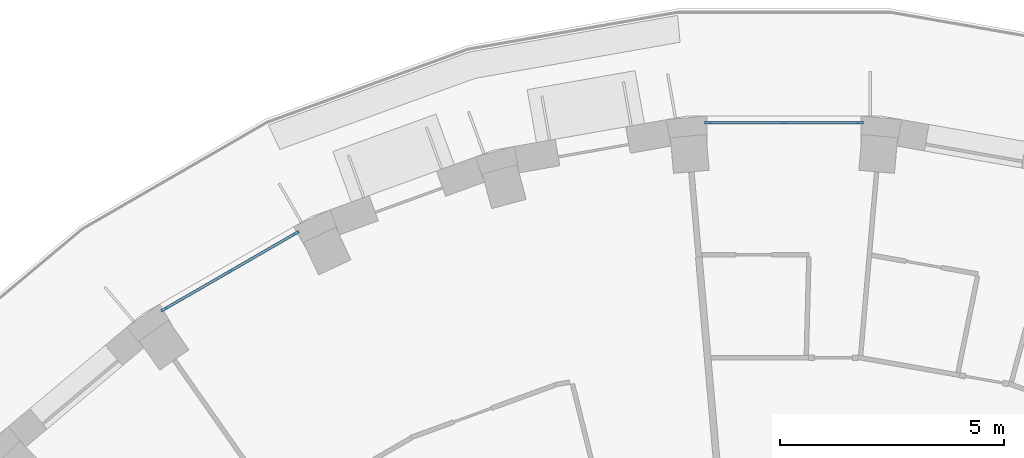
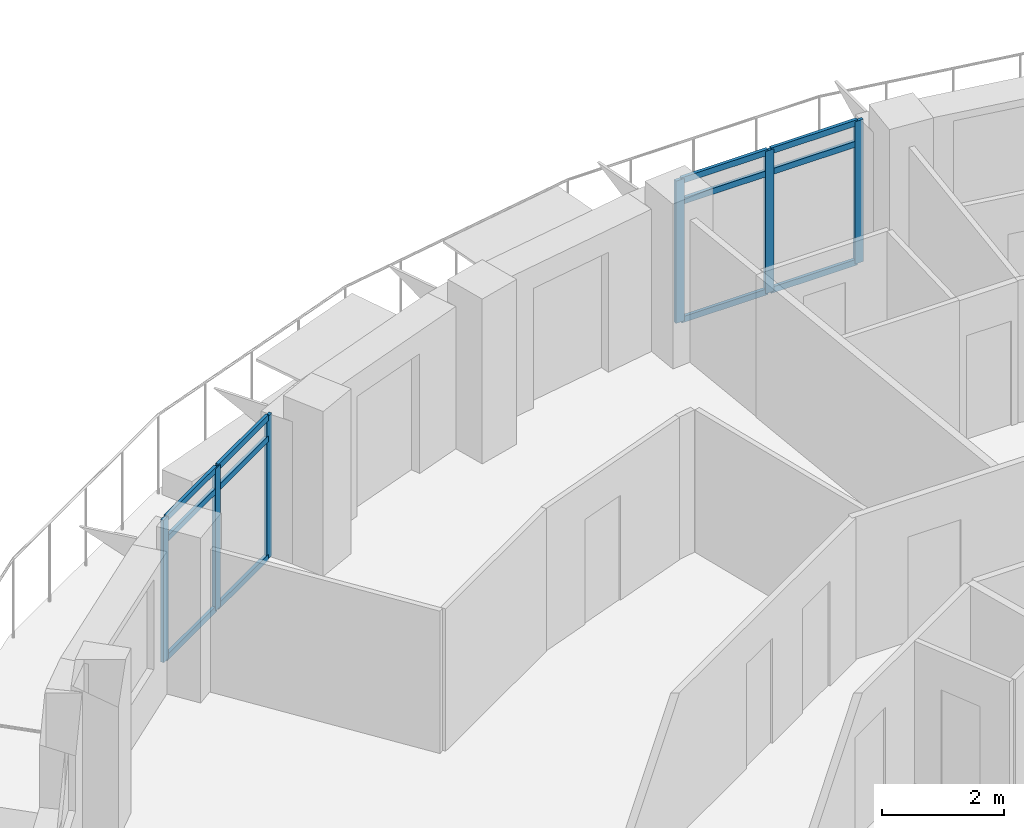
# One storey, part 2 of 14: 18 members, 2 elements without a shape of their own.
"""IFC4 building model written with IfcOpenShell, lengths in metres."""

import ifcopenshell
import ifcopenshell.guid

model = None  # the IFC model being written
_history = None  # IfcOwnerHistory: only IFC2X3 demands one
_inside = {}  # id of a spatial element -> (the spatial element, [elements in it])
_under = {}  # id of a project, library or spatial element -> (it, [spatial elements below it])
_declared = {}  # id of a project -> (the project, [libraries it declares])
_typed = {}  # id of a type object -> (the type object, [elements of that type])
_made_of = {}  # id of a material, layer set ... -> (it, [elements and type objects made of it])


def new_model(schema):
    """Start an empty IFC model of exactly this schema.

    Asked for "IFC4X3", IfcOpenShell would pick the latest addendum, in which some entities
    have other attributes; the version numbers below select the first issue.
    IFC2X3 requires an IfcOwnerHistory on every rooted entity: one is made here for all.
    """
    global model, _history
    if schema == "IFC4X3":
        model = ifcopenshell.file(schema_version=(4, 3, 0, 0))
    else:
        model = ifcopenshell.file(schema=schema)
    _inside.clear()
    _under.clear()
    _declared.clear()
    _typed.clear()
    _made_of.clear()
    _history = None
    if model.schema == "IFC2X3":
        org = make("IfcOrganization", Name="unknown")
        user = make(
            "IfcPersonAndOrganization",
            ThePerson=make("IfcPerson", FamilyName="unknown"),
            TheOrganization=org,
        )
        app = make(
            "IfcApplication",
            ApplicationDeveloper=org,
            Version="unknown",
            ApplicationFullName="unknown",
            ApplicationIdentifier="unknown",
        )
        _history = make(
            "IfcOwnerHistory",
            OwningUser=user,
            OwningApplication=app,
            ChangeAction="ADDED",
            CreationDate=0,
        )
    return model


def make(cls, **values):
    """One entity of the class cls with the attributes given. An attribute that is None is left unset."""
    return model.create_entity(
        cls, **{name: value for name, value in values.items() if value is not None}
    )


def rooted(cls, **values):
    """An entity with a GlobalId (a new one), such as an element, a storey or a relation."""
    return make(cls, GlobalId=ifcopenshell.guid.new(), OwnerHistory=_history, **values)


def si_unit(unit_type, name, prefix=None):
    """IfcSIUnit, for example si_unit("LENGTHUNIT", "METRE", prefix="MILLI")."""
    return make("IfcSIUnit", UnitType=unit_type, Prefix=prefix, Name=name)


def assignment(units):
    """IfcUnitAssignment: the units of a project."""
    return None if units is None else make("IfcUnitAssignment", Units=units)


def point(xyz):
    """IfcCartesianPoint."""
    return None if xyz is None else make("IfcCartesianPoint", Coordinates=xyz)


def direction(xyz):
    """IfcDirection."""
    return None if xyz is None else make("IfcDirection", DirectionRatios=xyz)


def frame(location, z_axis=None, x_axis=None):
    """IfcAxis2Placement3D, a coordinate frame: its origin and axes. An axis left out is left unset."""
    return make(
        "IfcAxis2Placement3D",
        Location=point(location),
        Axis=direction(z_axis),
        RefDirection=direction(x_axis),
    )


def frame_2d(location, x_axis=None):
    """IfcAxis2Placement2D, a coordinate frame in the plane: its origin and x axis."""
    return make(
        "IfcAxis2Placement2D", Location=point(location), RefDirection=direction(x_axis)
    )


def origin():
    """The frame at (0, 0, 0) with its axes left unset."""
    return frame((0.0, 0.0, 0.0))


def origin_2d():
    """The frame at (0, 0) in the plane with its x axis left unset."""
    return frame_2d((0.0, 0.0))


def place(relative_to, where):
    """IfcLocalPlacement: puts the frame where relative to a parent placement (None: the world)."""
    return make(
        "IfcLocalPlacement", PlacementRelTo=relative_to, RelativePlacement=where
    )


def context(
    kind, dimensions, precision=None, world=None, true_north=None, identifier=None
):
    """IfcGeometricRepresentationContext, for example the 3D "Model" context."""
    return make(
        "IfcGeometricRepresentationContext",
        ContextIdentifier=identifier,
        ContextType=kind,
        CoordinateSpaceDimension=dimensions,
        Precision=precision,
        WorldCoordinateSystem=world,
        TrueNorth=true_north,
    )


def subcontext(parent, identifier, kind, view, scale=None):
    """IfcGeometricRepresentationSubContext, for example "Body" below "Model"."""
    return make(
        "IfcGeometricRepresentationSubContext",
        ContextIdentifier=identifier,
        ContextType=kind,
        ParentContext=parent,
        TargetScale=scale,
        TargetView=view,
    )


def project(units=None, contexts=None):
    """IfcProject with its units and contexts."""
    return rooted(
        "IfcProject",
        Name="project",
        RepresentationContexts=contexts,
        UnitsInContext=assignment(units),
    )


def spatial(cls, under=None, at=None, **own):
    """A site, building, storey or space (cls), placed at a placement, below another one or the project."""
    s = rooted(cls, ObjectPlacement=at, **own)
    if under is not None:
        _under.setdefault(under.id(), (under, []))[1].append(s)
    return s


def profile(cls, at=None, kind="AREA", **sizes):
    """A parametric profile (cls). Its sizes go by their IFC names, for example OverallWidth=200.0."""
    return make(cls, ProfileType=kind, Position=at, **sizes)


def rectangle(**sizes):
    """IfcRectangleProfileDef."""
    return profile("IfcRectangleProfileDef", **sizes)


def extrude(swept, where, along, depth):
    """IfcExtrudedAreaSolid: the profile swept, set in the frame where, extruded along a direction by depth."""
    return make(
        "IfcExtrudedAreaSolid",
        SweptArea=swept,
        Position=where,
        ExtrudedDirection=direction(along),
        Depth=depth,
    )


def shape(context_of_items, identifier, shape_type, items):
    """IfcShapeRepresentation: the items that make up one representation, for example the "Body"."""
    return make(
        "IfcShapeRepresentation",
        ContextOfItems=context_of_items,
        RepresentationIdentifier=identifier,
        RepresentationType=shape_type,
        Items=items,
    )


def material(Name=None, Category=None):
    """IfcMaterial."""
    return make("IfcMaterial", Name=Name, Category=Category)


def layer(
    of_material, thickness, ventilated=None, Name=None, Category=None, Priority=None
):
    """IfcMaterialLayer: one layer of a wall or slab, of a material (None: an air gap)."""
    return make(
        "IfcMaterialLayer",
        Material=of_material,
        LayerThickness=thickness,
        IsVentilated=ventilated,
        Name=Name,
        Category=Category,
        Priority=Priority,
    )


def layer_set(layers, Name=None):
    """IfcMaterialLayerSet."""
    return make("IfcMaterialLayerSet", MaterialLayers=layers, LayerSetName=Name)


def material_profile(
    of_material, cross_section, Name=None, Category=None, Priority=None
):
    """IfcMaterialProfile: a cross section and its material."""
    return make(
        "IfcMaterialProfile",
        Name=Name,
        Material=of_material,
        Profile=cross_section,
        Priority=Priority,
        Category=Category,
    )


def profile_set(profiles, Name=None, composite=None):
    """IfcMaterialProfileSet."""
    return make(
        "IfcMaterialProfileSet",
        Name=Name,
        MaterialProfiles=profiles,
        CompositeProfile=composite,
    )


def made_of(thing, what):
    """Note that an element or type object is made of a material, layer set ...; save() writes the relation."""
    if what is not None:
        _made_of.setdefault(what.id(), (what, []))[1].append(thing)
    return thing


def type_object(cls, material=None, **own):
    """A type object (cls), such as IfcWallType, which elements share."""
    return made_of(rooted(cls, **own), material)


def element(
    cls,
    number,
    at=None,
    inside=None,
    cuts=None,
    type_object=None,
    material=None,
    context=None,
    identifier="Body",
    shape_type=None,
    held_by="IfcProductDefinitionShape",
    body=None,
    shapes=None,
    **own,
):
    """One element of the class cls, such as IfcWall. Its Tag is "e" and its number.

    at: its placement. inside: the storey or other place that contains it. cuts: it is an
    opening in that element (IfcRelVoidsElement). A single representation is given by context,
    identifier, shape_type and body (its items); several are given by shapes. held_by: the class
    of the entity that holds the representations. save() writes the other relations.
    """
    e = rooted(cls, Tag="e%d" % number, ObjectPlacement=at, **own)
    if body is not None:
        shapes = [shape(context, identifier, shape_type, body)]
    if shapes is not None:
        e.Representation = make(held_by, Representations=shapes)
    if inside is not None:
        _inside.setdefault(inside.id(), (inside, []))[1].append(e)
    if cuts is not None:
        rooted(
            "IfcRelVoidsElement", RelatingBuildingElement=cuts, RelatedOpeningElement=e
        )
    if type_object is not None:
        _typed.setdefault(type_object.id(), (type_object, []))[1].append(e)
    return made_of(e, material)


def aggregate(whole, parts):
    """IfcRelAggregates: a whole, such as a stair, and the parts it consists of."""
    return rooted("IfcRelAggregates", RelatingObject=whole, RelatedObjects=parts)


def save(model, path):
    """Write the relations noted so far, then the file.

    IfcRelAggregates (storeys below a building ...), IfcRelContainedInSpatialStructure (elements
    in a storey), IfcRelDefinesByType, IfcRelAssociatesMaterial and IfcRelDeclares: one each for
    every whole, place, type object, material and project.
    """
    for whole, parts in _under.values():
        aggregate(whole, parts)
    for where, things in _inside.values():
        rooted(
            "IfcRelContainedInSpatialStructure",
            RelatedElements=things,
            RelatingStructure=where,
        )
    for kind, things in _typed.values():
        rooted("IfcRelDefinesByType", RelatedObjects=things, RelatingType=kind)
    for what, things in _made_of.values():
        rooted("IfcRelAssociatesMaterial", RelatedObjects=things, RelatingMaterial=what)
    for by, libraries in _declared.values():
        rooted("IfcRelDeclares", RelatingContext=by, RelatedDefinitions=libraries)
    model.write(path)


model = new_model("IFC4")

# Units and contexts
model_context = context("Model", 3, precision=1e-05, world=origin(), true_north=direction((0.0, 1.0)))
body_context = subcontext(model_context, "Body", "Model", "MODEL_VIEW")
ifc_project = project(units=[si_unit("LENGTHUNIT", "METRE"), si_unit("AREAUNIT", "SQUARE_METRE"), si_unit("VOLUMEUNIT", "CUBIC_METRE"), si_unit("PLANEANGLEUNIT", "RADIAN"), si_unit("MASSUNIT", "GRAM", prefix="KILO")], contexts=[model_context])

# Site, building, storey
site_placement = place(None, origin())
site = spatial("IfcSite", under=ifc_project, at=site_placement, CompositionType="ELEMENT")
building_placement = place(site_placement, origin())
building = spatial("IfcBuilding", under=site, at=building_placement, Name="Saqina Gate Tower", CompositionType="ELEMENT")
storey_placement = place(building_placement, frame((0.0, 0.0, 213.60009765625)))
storey = spatial("IfcBuildingStorey", under=building, at=storey_placement, Name="L61", CompositionType="ELEMENT", Elevation=213.60009765625)

# Curtain wall, members
ifc_material_1 = material(Name="Aluminium glazing", Category="aluminium")
ifc_layer = layer(ifc_material_1, 0.159912109375)
ifc_layer_set = layer_set([ifc_layer], Name="CWT-4")
curtain_wall_type = type_object("IfcCurtainWallType", Name="CWT-4", PredefinedType="NOTDEFINED", material=ifc_layer_set)
curtain_wall_1_placement = place(storey_placement, origin())
curtain_wall_1 = element("IfcCurtainWall", 1, at=curtain_wall_1_placement, inside=storey, type_object=curtain_wall_type, Name="Terrace lounge glazing facet 9", PredefinedType="NOTDEFINED")
ifc_material_2 = material(Name="Aluminium", Category="aluminium")
ifc_material_profile_1 = material_profile(ifc_material_2, rectangle(XDim=0.06005859375, YDim=0.159912109375, at=origin_2d()), Name="Aluminium 60x160")
ifc_profile_set_1 = profile_set([ifc_material_profile_1], Name="Aluminium")
member_type_1 = type_object("IfcMemberType", Name="CWT-4M", PredefinedType="MULLION", material=ifc_profile_set_1)
member_1_placement = place(storey_placement, frame((1.69482421875, 24.7548828125, 0.0), z_axis=(0.0, 0.0, 1.0), x_axis=(0.0, -1.0, 0.0)))
member_1 = element("IfcMember", 2, at=member_1_placement, type_object=member_type_1, Name="CW4-09 mullion 1", PredefinedType="MULLION", context=body_context, shape_type="SweptSolid", body=[
    extrude(rectangle(XDim=0.06005859375, YDim=0.159912109375, at=origin_2d()), origin(), (0.0, 0.0, 1.0), 2.849853515625),
])
member_2_placement = place(storey_placement, frame((0.0, 24.7548828125, 0.0), z_axis=(0.0, 0.0, 1.0), x_axis=(0.0, -1.0, 0.0)))
member_2 = element("IfcMember", 3, at=member_2_placement, type_object=member_type_1, Name="CW4-09 mullion 2", PredefinedType="MULLION", context=body_context, shape_type="SweptSolid", body=[
    extrude(rectangle(XDim=0.06005859375, YDim=0.159912109375, at=origin_2d()), origin(), (0.0, 0.0, 1.0), 2.849853515625),
])
member_3_placement = place(storey_placement, frame((-1.69482421875, 24.7548828125, 0.0), z_axis=(0.0, 0.0, 1.0), x_axis=(0.0, -1.0, 0.0)))
member_3 = element("IfcMember", 4, at=member_3_placement, type_object=member_type_1, Name="CW4-09 mullion 3", PredefinedType="MULLION", context=body_context, shape_type="SweptSolid", body=[
    extrude(rectangle(XDim=0.06005859375, YDim=0.159912109375, at=origin_2d()), origin(), (0.0, 0.0, 1.0), 2.849853515625),
])

curtain_wall_2_placement = place(storey_placement, origin())
curtain_wall_2 = element("IfcCurtainWall", 5, at=curtain_wall_2_placement, inside=storey, type_object=curtain_wall_type, Name="Terrace lounge glazing facet 12", PredefinedType="NOTDEFINED")
member_4_placement = place(storey_placement, frame((-10.90966796875, 22.285888671875, 0.0), z_axis=(0.0, 0.0, 1.0), x_axis=(0.500014364391, -0.866017110341, 0.0)))
member_4 = element("IfcMember", 6, at=member_4_placement, type_object=member_type_1, Name="CW4-12 mullion 1", PredefinedType="MULLION", context=body_context, shape_type="SweptSolid", body=[
    extrude(rectangle(XDim=0.06005859375, YDim=0.159912109375, at=origin_2d()), origin(), (0.0, 0.0, 1.0), 2.849853515625),
])
member_5_placement = place(storey_placement, frame((-12.37744140625, 21.438232421875, 0.0), z_axis=(0.0, 0.0, 1.0), x_axis=(0.500014364391, -0.866017110341, 0.0)))
member_5 = element("IfcMember", 7, at=member_5_placement, type_object=member_type_1, Name="CW4-12 mullion 2", PredefinedType="MULLION", context=body_context, shape_type="SweptSolid", body=[
    extrude(rectangle(XDim=0.06005859375, YDim=0.159912109375, at=origin_2d()), origin(), (0.0, 0.0, 1.0), 2.849853515625),
])
member_6_placement = place(storey_placement, frame((-13.84521484375, 20.5908203125, 0.0), z_axis=(0.0, 0.0, 1.0), x_axis=(0.500014364391, -0.866017110341, 0.0)))
member_6 = element("IfcMember", 8, at=member_6_placement, type_object=member_type_1, Name="CW4-12 mullion 3", PredefinedType="MULLION", context=body_context, shape_type="SweptSolid", body=[
    extrude(rectangle(XDim=0.06005859375, YDim=0.159912109375, at=origin_2d()), origin(), (0.0, 0.0, 1.0), 2.849853515625),
])

# Member
ifc_material_3 = material(Name="Aluminium", Category="aluminium")
ifc_material_profile_2 = material_profile(ifc_material_3, rectangle(XDim=0.06005859375, YDim=0.1201171875, at=origin_2d()), Name="Aluminium 60x120")
ifc_profile_set_2 = profile_set([ifc_material_profile_2], Name="Aluminium")
member_type_2 = type_object("IfcMemberType", Name="CWT-4T", PredefinedType="USERDEFINED", material=ifc_profile_set_2)
member_7_placement = place(storey_placement, frame((1.664794921875, 24.7548828125, 0.02978515625), z_axis=(-1.0, 0.0, 0.0), x_axis=(0.0, -1.0, 0.0)))
member_7 = element("IfcMember", 9, at=member_7_placement, type_object=member_type_2, Name="CW4-09 transom 1.1", ObjectType="TRANSOM", PredefinedType="USERDEFINED", context=body_context, shape_type="SweptSolid", body=[
    extrude(rectangle(XDim=0.06005859375, YDim=0.1201171875, at=origin_2d()), origin(), (0.0, 0.0, 1.0), 1.634765625),
])

member_8_placement = place(storey_placement, frame((1.664794921875, 24.7548828125, 2.39990234375), z_axis=(-1.0, 0.0, 0.0), x_axis=(0.0, -1.0, 0.0)))
member_8 = element("IfcMember", 10, at=member_8_placement, type_object=member_type_2, Name="CW4-09 transom 1.2", ObjectType="TRANSOM", PredefinedType="USERDEFINED", context=body_context, shape_type="SweptSolid", body=[
    extrude(rectangle(XDim=0.06005859375, YDim=0.1201171875, at=origin_2d()), origin(), (0.0, 0.0, 1.0), 1.634765625),
])

member_9_placement = place(storey_placement, frame((1.664794921875, 24.7548828125, 2.81982421875), z_axis=(-1.0, 0.0, 0.0), x_axis=(0.0, -1.0, 0.0)))
member_9 = element("IfcMember", 11, at=member_9_placement, type_object=member_type_2, Name="CW4-09 transom 1.3", ObjectType="TRANSOM", PredefinedType="USERDEFINED", context=body_context, shape_type="SweptSolid", body=[
    extrude(rectangle(XDim=0.06005859375, YDim=0.1201171875, at=origin_2d()), origin(), (0.0, 0.0, 1.0), 1.634765625),
])

member_10_placement = place(storey_placement, frame((-0.030029296875, 24.7548828125, 0.02978515625), z_axis=(-1.0, 0.0, 0.0), x_axis=(0.0, -1.0, 0.0)))
member_10 = element("IfcMember", 12, at=member_10_placement, type_object=member_type_2, Name="CW4-09 transom 2.1", ObjectType="TRANSOM", PredefinedType="USERDEFINED", context=body_context, shape_type="SweptSolid", body=[
    extrude(rectangle(XDim=0.06005859375, YDim=0.1201171875, at=origin_2d()), origin(), (0.0, 0.0, 1.0), 1.634765625),
])

member_11_placement = place(storey_placement, frame((-0.030029296875, 24.7548828125, 2.39990234375), z_axis=(-1.0, 0.0, 0.0), x_axis=(0.0, -1.0, 0.0)))
member_11 = element("IfcMember", 13, at=member_11_placement, type_object=member_type_2, Name="CW4-09 transom 2.2", ObjectType="TRANSOM", PredefinedType="USERDEFINED", context=body_context, shape_type="SweptSolid", body=[
    extrude(rectangle(XDim=0.06005859375, YDim=0.1201171875, at=origin_2d()), origin(), (0.0, 0.0, 1.0), 1.634765625),
])

member_12_placement = place(storey_placement, frame((-0.030029296875, 24.7548828125, 2.81982421875), z_axis=(-1.0, 0.0, 0.0), x_axis=(0.0, -1.0, 0.0)))
member_12 = element("IfcMember", 14, at=member_12_placement, type_object=member_type_2, Name="CW4-09 transom 2.3", ObjectType="TRANSOM", PredefinedType="USERDEFINED", context=body_context, shape_type="SweptSolid", body=[
    extrude(rectangle(XDim=0.06005859375, YDim=0.1201171875, at=origin_2d()), origin(), (0.0, 0.0, 1.0), 1.634765625),
])

aggregate(curtain_wall_1, [member_1, member_2, member_3, member_7, member_8, member_9, member_10, member_11, member_12])

member_13_placement = place(storey_placement, frame((-10.935546875, 22.270751953125, 0.02978515625), z_axis=(-0.866066236526, -0.499929268946, 0.0), x_axis=(0.499929268946, -0.866066236526, 0.0)))
member_13 = element("IfcMember", 15, at=member_13_placement, type_object=member_type_2, Name="CW4-12 transom 1.1", ObjectType="TRANSOM", PredefinedType="USERDEFINED", context=body_context, shape_type="SweptSolid", body=[
    extrude(rectangle(XDim=0.06005859375, YDim=0.1201171875, at=origin_2d()), origin(), (0.0, 0.0, 1.0), 1.635009765625),
])

member_14_placement = place(storey_placement, frame((-10.935546875, 22.270751953125, 2.39990234375), z_axis=(-0.866066236526, -0.499929268946, 0.0), x_axis=(0.499929268946, -0.866066236526, 0.0)))
member_14 = element("IfcMember", 16, at=member_14_placement, type_object=member_type_2, Name="CW4-12 transom 1.2", ObjectType="TRANSOM", PredefinedType="USERDEFINED", context=body_context, shape_type="SweptSolid", body=[
    extrude(rectangle(XDim=0.06005859375, YDim=0.1201171875, at=origin_2d()), origin(), (0.0, 0.0, 1.0), 1.635009765625),
])

member_15_placement = place(storey_placement, frame((-10.935546875, 22.270751953125, 2.81982421875), z_axis=(-0.866066236526, -0.499929268946, 0.0), x_axis=(0.499929268946, -0.866066236526, 0.0)))
member_15 = element("IfcMember", 17, at=member_15_placement, type_object=member_type_2, Name="CW4-12 transom 1.3", ObjectType="TRANSOM", PredefinedType="USERDEFINED", context=body_context, shape_type="SweptSolid", body=[
    extrude(rectangle(XDim=0.06005859375, YDim=0.1201171875, at=origin_2d()), origin(), (0.0, 0.0, 1.0), 1.635009765625),
])

member_16_placement = place(storey_placement, frame((-12.4033203125, 21.42333984375, 0.02978515625), z_axis=(-0.866066236526, -0.499929268946, 0.0), x_axis=(0.499929268946, -0.866066236526, 0.0)))
member_16 = element("IfcMember", 18, at=member_16_placement, type_object=member_type_2, Name="CW4-12 transom 2.1", ObjectType="TRANSOM", PredefinedType="USERDEFINED", context=body_context, shape_type="SweptSolid", body=[
    extrude(rectangle(XDim=0.06005859375, YDim=0.1201171875, at=origin_2d()), origin(), (0.0, 0.0, 1.0), 1.635009765625),
])

member_17_placement = place(storey_placement, frame((-12.4033203125, 21.42333984375, 2.39990234375), z_axis=(-0.866066236526, -0.499929268946, 0.0), x_axis=(0.499929268946, -0.866066236526, 0.0)))
member_17 = element("IfcMember", 19, at=member_17_placement, type_object=member_type_2, Name="CW4-12 transom 2.2", ObjectType="TRANSOM", PredefinedType="USERDEFINED", context=body_context, shape_type="SweptSolid", body=[
    extrude(rectangle(XDim=0.06005859375, YDim=0.1201171875, at=origin_2d()), origin(), (0.0, 0.0, 1.0), 1.635009765625),
])

member_18_placement = place(storey_placement, frame((-12.4033203125, 21.42333984375, 2.81982421875), z_axis=(-0.866066236526, -0.499929268946, 0.0), x_axis=(0.499929268946, -0.866066236526, 0.0)))
member_18 = element("IfcMember", 20, at=member_18_placement, type_object=member_type_2, Name="CW4-12 transom 2.3", ObjectType="TRANSOM", PredefinedType="USERDEFINED", context=body_context, shape_type="SweptSolid", body=[
    extrude(rectangle(XDim=0.06005859375, YDim=0.1201171875, at=origin_2d()), origin(), (0.0, 0.0, 1.0), 1.635009765625),
])

aggregate(curtain_wall_2, [member_4, member_5, member_6, member_13, member_14, member_15, member_16, member_17, member_18])

save(model, "model.ifc")
